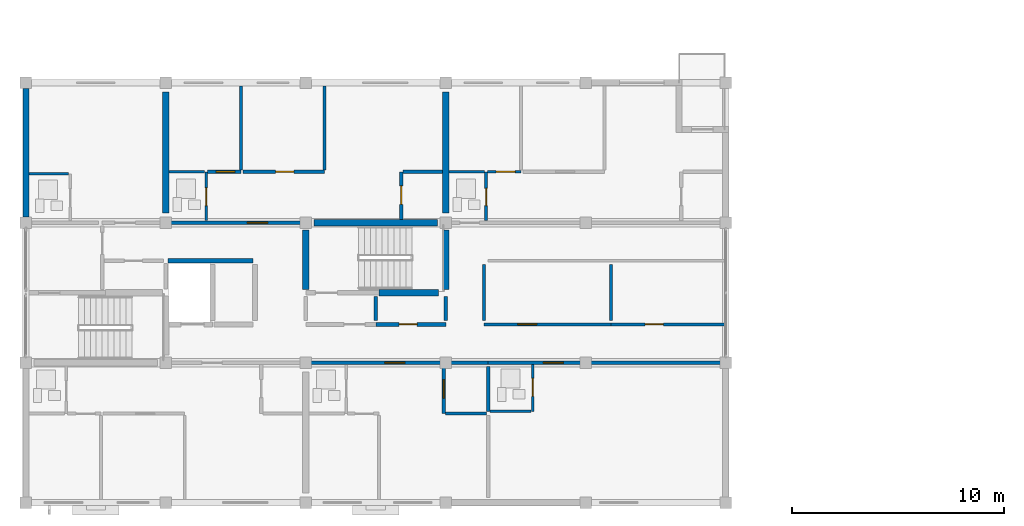
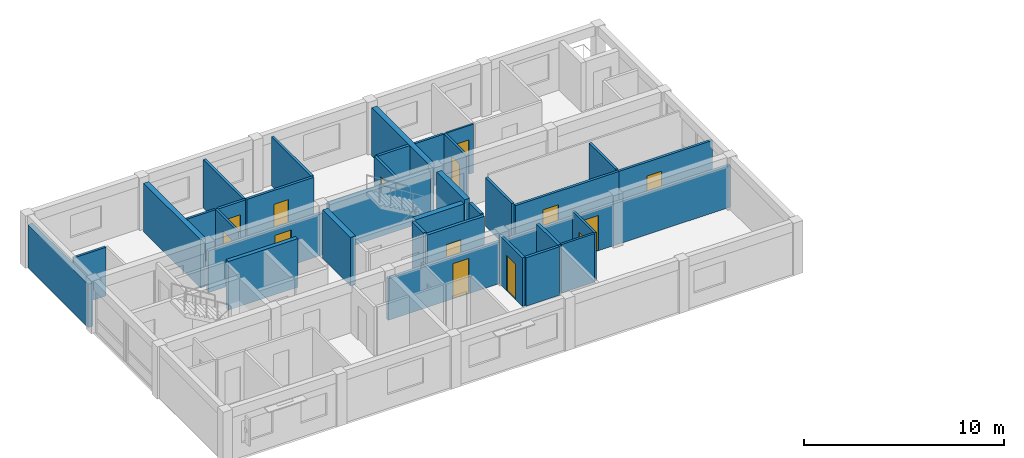
# One storey, part 32 of 49: 35 walls, 14 doors, 14 openings.
"""IFC4 building model written with IfcOpenShell, lengths in metres."""

from ifc_helpers import new_model, si_unit, direction, frame, frame_2d, origin, place, context, subcontext, project, spatial, rectangle, extrude, material, layer, layer_set, type_object, element, fill, save


model = new_model("IFC4")

# Units and contexts
model_context = context("Model", 3, precision=1e-05, world=origin(), true_north=direction((0.0, 1.0)))
body_context = subcontext(model_context, "Body", "Model", "MODEL_VIEW")
ifc_project = project(units=[si_unit("LENGTHUNIT", "METRE"), si_unit("AREAUNIT", "SQUARE_METRE"), si_unit("VOLUMEUNIT", "CUBIC_METRE"), si_unit("PLANEANGLEUNIT", "RADIAN"), si_unit("MASSUNIT", "GRAM", prefix="KILO")], contexts=[model_context])

# Site, building, storey
site_placement = place(None, origin())
site = spatial("IfcSite", under=ifc_project, at=site_placement, CompositionType="ELEMENT")
building_placement = place(site_placement, origin())
building = spatial("IfcBuilding", under=site, at=building_placement, Name="Kernevlak Ridge Housing Community", CompositionType="ELEMENT")
storey_placement = place(building_placement, frame((0.0, 0.0, 30.800048828125)))
storey = spatial("IfcBuildingStorey", under=building, at=storey_placement, Name="L09", CompositionType="ELEMENT", Elevation=30.800048828125)

# Walls
ifc_material_1 = material(Name="Concrete block masonry M10", Category="masonry")
ifc_layer_1 = layer(ifc_material_1, 0.280029296875, Name="Concrete block masonry M10")
ifc_layer_set_1 = layer_set([ifc_layer_1], Name="Concrete block masonry M10")
wall_type_1 = type_object("IfcWallType", Name="EW-03", PredefinedType="STANDARD", material=ifc_layer_set_1)
wall_1_placement = place(storey_placement, frame((15.60009765625, 89.47509765625, 0.0), z_axis=(0.0, 0.0, 1.0), x_axis=(0.0, 1.0, 0.0)))
element("IfcWall", 1, at=wall_1_placement, inside=storey, type_object=wall_type_1, Name="Exterior wall EW-03 L09 154", PredefinedType="STANDARD", context=body_context, shape_type="SweptSolid", body=[
    extrude(rectangle(XDim=6.0498046875, YDim=0.280029296875, at=frame_2d((3.02490234375, 0.0))), origin(), (0.0, 0.0, 1.0), 2.64990234375),
])
ifc_material_2 = material(Name="Concrete C35/45", Category="concrete")
ifc_layer_2 = layer(ifc_material_2, 0.22509765625, Name="Concrete C35/45")
ifc_layer_set_2 = layer_set([ifc_layer_2], Name="Concrete C35/45")
wall_type_2 = type_object("IfcWallType", Name="PW-01", PredefinedType="STANDARD", material=ifc_layer_set_2)
wall_2_placement = place(storey_placement, frame((22.297607421875, 87.39990234375, 0.0), z_axis=(0.0, 0.0, 1.0), x_axis=(1.0, 0.0, 0.0)))
element("IfcWall", 2, at=wall_2_placement, inside=storey, type_object=wall_type_2, Name="Interior wall PW-01 WAL-INT-L09-0573", PredefinedType="STANDARD", context=body_context, shape_type="SweptSolid", body=[
    extrude(rectangle(XDim=4.0224609375, YDim=0.22509765625, at=frame_2d((2.01123046875, 0.0))), origin(), (0.0, 0.0, 1.0), 2.969970703125),
])

# Wall, opening, door
ifc_layer_3 = layer(ifc_material_1, 0.175048828125, Name="Concrete block masonry M10")
ifc_layer_set_3 = layer_set([ifc_layer_3], Name="Concrete block masonry M10")
wall_type_3 = type_object("IfcWallType", Name="PW-02", PredefinedType="PARTITIONING", material=ifc_layer_set_3)
wall_3_placement = place(storey_placement, frame((32.10009765625, 84.39990234375, 0.0), z_axis=(0.0, 0.0, 1.0), x_axis=(1.0, 0.0, 0.0)))
wall_3 = element("IfcWall", 3, at=wall_3_placement, inside=storey, type_object=wall_type_3, Name="Interior wall PW-02 WAL-INT-L09-0579", PredefinedType="PARTITIONING", context=body_context, shape_type="SweptSolid", body=[
    extrude(rectangle(XDim=3.2998046875, YDim=0.175048828125, at=frame_2d((1.64990234375, 0.0))), origin(), (0.0, 0.0, 1.0), 2.969970703125),
])
opening_1_placement = place(wall_3_placement, frame((1.10009765625, 0.0, 0.0)))
opening_1 = element("IfcOpeningElement", 4, at=opening_1_placement, cuts=wall_3, Name="Opening D292", PredefinedType="OPENING", context=body_context, shape_type="SweptSolid", body=[
    extrude(rectangle(XDim=0.85009765625, YDim=2.0, at=frame_2d((0.425048828125, 1.0))), frame((0.0, 0.097412109375, 0.0), z_axis=(0.0, -1.0, 0.0), x_axis=(1.0, 0.0, 0.0)), (0.0, 0.0, 1.0), 0.195068359375),
])
ifc_material_3 = material(Name="Fire-rated sheet steel leaf", Category="steel")
door_type_1 = type_object("IfcDoorType", Name="DT-07", OperationType="NOTDEFINED", PredefinedType="DOOR", material=ifc_material_3)
door_1_placement = place(opening_1_placement, origin())
door_1 = element("IfcDoor", 5, at=door_1_placement, inside=storey, type_object=door_type_1, Name="Block A Cleaner store door D292", OperationType="SINGLE_SWING_RIGHT", OverallHeight=2.0, OverallWidth=0.85009765625, PredefinedType="DOOR", context=body_context, shape_type="SweptSolid", body=[
    extrude(rectangle(XDim=0.85009765625, YDim=2.0, at=frame_2d((0.425048828125, 1.0))), frame((0.0, 0.02490234375, 0.0), z_axis=(0.0, -1.0, 0.0), x_axis=(1.0, 0.0, 0.0)), (0.0, 0.0, 1.0), 0.050048828125),
])
fill(opening_1, door_1)

# Walls
for number, where, z_axis, x_axis, name in (
    (6, (32.10009765625, 84.580078125, 0.0), (0.0, 0.0, 1.0), (0.0, 1.0, 0.0), "Interior wall PW-02 WAL-INT-L09-0581"),
    (7, (35.39990234375, 84.580078125, 0.0), (0.0, 0.0, 1.0), (0.0, 1.0, 0.0), "Interior wall PW-02 WAL-INT-L09-0582"),
):
    element("IfcWall", number, at=place(storey_placement, frame(where, z_axis=z_axis, x_axis=x_axis)), inside=storey, type_object=wall_type_3, Name=name, PredefinedType="PARTITIONING", context=body_context, shape_type="SweptSolid", body=[
        extrude(rectangle(XDim=1.139892578125, YDim=0.175048828125, at=frame_2d((0.56982421875, 0.0))), origin(), (0.0, 0.0, 1.0), 2.969970703125),
    ])

# Wall, opening, door
wall_4_placement = place(storey_placement, frame((28.800048828125, 82.60009765625, 0.0), z_axis=(0.0, 0.0, 1.0), x_axis=(1.0, 0.0, 0.0)))
wall_4 = element("IfcWall", 8, at=wall_4_placement, inside=storey, type_object=wall_type_3, Name="Interior wall PW-02 WAL-INT-L09-0597", PredefinedType="PARTITIONING", context=body_context, shape_type="SweptSolid", body=[
    extrude(rectangle(XDim=8.599853515625, YDim=0.175048828125, at=frame_2d((4.2998046875, 0.0))), origin(), (0.0, 0.0, 1.0), 2.550048828125),
])
opening_2_placement = place(wall_4_placement, frame((3.72509765625, 0.0, 0.0)))
opening_2 = element("IfcOpeningElement", 9, at=opening_2_placement, cuts=wall_4, Name="Opening D300", PredefinedType="OPENING", context=body_context, shape_type="SweptSolid", body=[
    extrude(rectangle(XDim=0.949951171875, YDim=2.159912109375, at=frame_2d((0.47509765625, 1.080078125))), frame((0.0, 0.097412109375, 0.0), z_axis=(0.0, -1.0, 0.0), x_axis=(1.0, 0.0, 0.0)), (0.0, 0.0, 1.0), 0.195068359375),
])
ifc_material_4 = material(Name="Hardwood timber solid-core fire leaf", Category="wood")
door_type_2 = type_object("IfcDoorType", Name="DT-02", OperationType="NOTDEFINED", PredefinedType="DOOR", material=ifc_material_4)
door_2_placement = place(opening_2_placement, origin())
door_2 = element("IfcDoor", 10, at=door_2_placement, inside=storey, type_object=door_type_2, Name="Flat A0912 entrance fire door D300", OperationType="SINGLE_SWING_RIGHT", OverallHeight=2.159912109375, OverallWidth=0.949951171875, PredefinedType="DOOR", context=body_context, shape_type="SweptSolid", body=[
    extrude(rectangle(XDim=0.949951171875, YDim=2.159912109375, at=frame_2d((0.47509765625, 1.080078125))), frame((0.0, 0.02490234375, 0.0), z_axis=(0.0, -1.0, 0.0), x_axis=(1.0, 0.0, 0.0)), (0.0, 0.0, 1.0), 0.050048828125),
])
fill(opening_2, door_2)

# Wall
wall_5_placement = place(storey_placement, frame((37.39990234375, 82.419921875, 0.0), z_axis=(0.0, 0.0, 1.0), x_axis=(0.0, -1.0, 0.0)))
element("IfcWall", 11, at=wall_5_placement, inside=storey, type_object=wall_type_3, Name="Interior wall PW-02 WAL-INT-L09-0604", PredefinedType="PARTITIONING", context=body_context, shape_type="SweptSolid", body=[
    extrude(rectangle(XDim=2.13232421875, YDim=0.175048828125, at=frame_2d((1.066162109375, 0.0))), origin(), (0.0, 0.0, 1.0), 2.969970703125),
])

# Wall, opening, door
wall_6_placement = place(storey_placement, frame((37.39990234375, 82.60009765625, 0.0), z_axis=(0.0, 0.0, 1.0), x_axis=(1.0, 0.0, 0.0)))
wall_6 = element("IfcWall", 12, at=wall_6_placement, inside=storey, type_object=wall_type_3, Name="Interior wall PW-02 WAL-INT-L09-0605", PredefinedType="PARTITIONING", context=body_context, shape_type="SweptSolid", body=[
    extrude(rectangle(XDim=11.2001953125, YDim=0.175048828125, at=frame_2d((5.60009765625, 0.0))), origin(), (0.0, 0.0, 1.0), 2.550048828125),
])
opening_3_placement = place(wall_6_placement, frame((2.60009765625, 0.0, 0.0)))
opening_3 = element("IfcOpeningElement", 13, at=opening_3_placement, cuts=wall_6, Name="Opening D304", PredefinedType="OPENING", context=body_context, shape_type="SweptSolid", body=[
    extrude(rectangle(XDim=0.949951171875, YDim=2.159912109375, at=frame_2d((0.47509765625, 1.080078125))), frame((0.0, 0.097412109375, 0.0), z_axis=(0.0, -1.0, 0.0), x_axis=(1.0, 0.0, 0.0)), (0.0, 0.0, 1.0), 0.195068359375),
])
door_3_placement = place(opening_3_placement, origin())
door_3 = element("IfcDoor", 14, at=door_3_placement, inside=storey, type_object=door_type_2, Name="Flat A0913 entrance fire door D304", OperationType="SINGLE_SWING_RIGHT", OverallHeight=2.159912109375, OverallWidth=0.949951171875, PredefinedType="DOOR", context=body_context, shape_type="SweptSolid", body=[
    extrude(rectangle(XDim=0.949951171875, YDim=2.159912109375, at=frame_2d((0.47509765625, 1.080078125))), frame((0.0, 0.02490234375, 0.0), z_axis=(0.0, -1.0, 0.0), x_axis=(1.0, 0.0, 0.0)), (0.0, 0.0, 1.0), 0.050048828125),
])
fill(opening_3, door_3)

wall_7_placement = place(storey_placement, frame((22.199951171875, 89.199951171875, 0.0), z_axis=(0.0, 0.0, 1.0), x_axis=(1.0, 0.0, 0.0)))
wall_7 = element("IfcWall", 15, at=wall_7_placement, inside=storey, type_object=wall_type_3, Name="Interior wall PW-02 WAL-INT-L09-0612", PredefinedType="PARTITIONING", context=body_context, shape_type="SweptSolid", body=[
    extrude(rectangle(XDim=6.60009765625, YDim=0.175048828125, at=frame_2d((3.300048828125, 0.0))), origin(), (0.0, 0.0, 1.0), 2.550048828125),
])
opening_4_placement = place(wall_7_placement, frame((3.85009765625, 0.0, 0.0)))
opening_4 = element("IfcOpeningElement", 16, at=opening_4_placement, cuts=wall_7, Name="Opening D308", PredefinedType="OPENING", context=body_context, shape_type="SweptSolid", body=[
    extrude(rectangle(XDim=0.949951171875, YDim=2.159912109375, at=frame_2d((0.47509765625, 1.080078125))), frame((0.0, 0.097412109375, 0.0), z_axis=(0.0, -1.0, 0.0), x_axis=(1.0, 0.0, 0.0)), (0.0, 0.0, 1.0), 0.195068359375),
])
door_4_placement = place(opening_4_placement, origin())
door_4 = element("IfcDoor", 17, at=door_4_placement, inside=storey, type_object=door_type_2, Name="Flat A0922 entrance fire door D308", OperationType="SINGLE_SWING_RIGHT", OverallHeight=2.159912109375, OverallWidth=0.949951171875, PredefinedType="DOOR", context=body_context, shape_type="SweptSolid", body=[
    extrude(rectangle(XDim=0.949951171875, YDim=2.159912109375, at=frame_2d((0.47509765625, 1.080078125))), frame((0.0, 0.02490234375, 0.0), z_axis=(0.0, -1.0, 0.0), x_axis=(1.0, 0.0, 0.0)), (0.0, 0.0, 1.0), 0.050048828125),
])
fill(opening_4, door_4)

ifc_layer_4 = layer(ifc_material_1, 0.14501953125, Name="Concrete block masonry M10")
ifc_layer_set_4 = layer_set([ifc_layer_4], Name="Concrete block masonry M10")
wall_type_4 = type_object("IfcWallType", Name="PW-03", PredefinedType="PARTITIONING", material=ifc_layer_set_4)
wall_8_placement = place(storey_placement, frame((37.199951171875, 84.39990234375, 0.0), z_axis=(0.0, 0.0, 1.0), x_axis=(1.0, 0.0, 0.0)))
wall_8 = element("IfcWall", 18, at=wall_8_placement, inside=storey, type_object=wall_type_4, Name="Interior wall PW-03 WAL-INT-L09-0583", PredefinedType="PARTITIONING", context=body_context, shape_type="SweptSolid", body=[
    extrude(rectangle(XDim=6.0, YDim=0.14501953125, at=frame_2d((3.0, 0.0))), origin(), (0.0, 0.0, 1.0), 2.969970703125),
])
opening_5_placement = place(wall_8_placement, frame((1.60009765625, 0.0, 0.0)))
opening_5 = element("IfcOpeningElement", 19, at=opening_5_placement, cuts=wall_8, Name="Opening D293", PredefinedType="OPENING", context=body_context, shape_type="SweptSolid", body=[
    extrude(rectangle(XDim=0.8798828125, YDim=2.159912109375, at=frame_2d((0.43994140625, 1.080078125))), frame((0.0, 0.08251953125, 0.0), z_axis=(0.0, -1.0, 0.0), x_axis=(1.0, 0.0, 0.0)), (0.0, 0.0, 1.0), 0.1650390625),
])
ifc_material_5 = material(Name="Hardwood timber leaf", Category="wood")
door_type_3 = type_object("IfcDoorType", Name="DT-26", OperationType="NOTDEFINED", PredefinedType="DOOR", material=ifc_material_5)
door_5_placement = place(opening_5_placement, origin())
door_5 = element("IfcDoor", 20, at=door_5_placement, inside=storey, type_object=door_type_3, Name="Block A Laundry room door D293", OperationType="SINGLE_SWING_LEFT", OverallHeight=2.159912109375, OverallWidth=0.8798828125, PredefinedType="DOOR", context=body_context, shape_type="SweptSolid", body=[
    extrude(rectangle(XDim=0.8798828125, YDim=2.159912109375, at=frame_2d((0.43994140625, 1.080078125))), frame((0.0, 0.02490234375, 0.0), z_axis=(0.0, -1.0, 0.0), x_axis=(1.0, 0.0, 0.0)), (0.0, 0.0, 1.0), 0.050048828125),
])
fill(opening_5, door_5)

wall_9_placement = place(storey_placement, frame((43.199951171875, 84.39990234375, 0.0), z_axis=(0.0, 0.0, 1.0), x_axis=(1.0, 0.0, 0.0)))
wall_9 = element("IfcWall", 21, at=wall_9_placement, inside=storey, type_object=wall_type_4, Name="Interior wall PW-03 WAL-INT-L09-0584", PredefinedType="PARTITIONING", context=body_context, shape_type="SweptSolid", body=[
    extrude(rectangle(XDim=5.400146484375, YDim=0.14501953125, at=frame_2d((2.7001953125, 0.0))), origin(), (0.0, 0.0, 1.0), 2.969970703125),
])
opening_6_placement = place(wall_9_placement, frame((1.60009765625, 0.0, 0.0)))
opening_6 = element("IfcOpeningElement", 22, at=opening_6_placement, cuts=wall_9, Name="Opening D294", PredefinedType="OPENING", context=body_context, shape_type="SweptSolid", body=[
    extrude(rectangle(XDim=0.860107421875, YDim=2.1201171875, at=frame_2d((0.43017578125, 1.06005859375))), frame((0.0, 0.08251953125, 0.0), z_axis=(0.0, -1.0, 0.0), x_axis=(1.0, 0.0, 0.0)), (0.0, 0.0, 1.0), 0.1650390625),
])
door_type_4 = type_object("IfcDoorType", Name="DT-28", OperationType="NOTDEFINED", PredefinedType="DOOR", material=ifc_material_5)
door_6_placement = place(opening_6_placement, origin())
door_6 = element("IfcDoor", 23, at=door_6_placement, inside=storey, type_object=door_type_4, Name="Block A Study room door D294", OperationType="SINGLE_SWING_RIGHT", OverallHeight=2.1201171875, OverallWidth=0.860107421875, PredefinedType="DOOR", context=body_context, shape_type="SweptSolid", body=[
    extrude(rectangle(XDim=0.860107421875, YDim=2.1201171875, at=frame_2d((0.43017578125, 1.06005859375))), frame((0.0, 0.02490234375, 0.0), z_axis=(0.0, -1.0, 0.0), x_axis=(1.0, 0.0, 0.0)), (0.0, 0.0, 1.0), 0.050048828125),
])
fill(opening_6, door_6)

# Walls
for number, where, z_axis, x_axis, name in (
    (24, (43.199951171875, 84.580078125, 0.0), (0.0, 0.0, 1.0), (0.0, 1.0, 0.0), "Interior wall PW-03 WAL-INT-L09-0585"),
    (25, (37.199951171875, 84.580078125, 0.0), (0.0, 0.0, 1.0), (0.0, 1.0, 0.0), "Interior wall PW-03 WAL-INT-L09-0587"),
):
    element("IfcWall", number, at=place(storey_placement, frame(where, z_axis=z_axis, x_axis=x_axis)), inside=storey, type_object=wall_type_4, Name=name, PredefinedType="PARTITIONING", context=body_context, shape_type="SweptSolid", body=[
        extrude(rectangle(XDim=2.639892578125, YDim=0.14501953125, at=frame_2d((1.31982421875, 0.0))), origin(), (0.0, 0.0, 1.0), 2.969970703125),
    ])

# Wall, opening, door
wall_10_placement = place(storey_placement, frame((24.172607421875, 91.60009765625, 0.0), z_axis=(0.0, 0.0, 1.0), x_axis=(1.0, 0.0, 0.0)))
wall_10 = element("IfcWall", 26, at=wall_10_placement, inside=storey, type_object=wall_type_4, Name="Interior wall PW-03 WAL-INT-L09-0617", PredefinedType="PARTITIONING", context=body_context, shape_type="SweptSolid", body=[
    extrude(rectangle(XDim=1.577392578125, YDim=0.14501953125, at=frame_2d((0.78857421875, 0.0))), origin(), (0.0, 0.0, 1.0), 2.969970703125),
])
opening_7_placement = place(wall_10_placement, frame((0.39990234375, 0.0, 0.0)))
opening_7 = element("IfcOpeningElement", 27, at=opening_7_placement, cuts=wall_10, Name="Opening D311", PredefinedType="OPENING", context=body_context, shape_type="SweptSolid", body=[
    extrude(rectangle(XDim=0.8798828125, YDim=2.159912109375, at=frame_2d((0.43994140625, 1.080078125))), frame((0.0, 0.08251953125, 0.0), z_axis=(0.0, -1.0, 0.0), x_axis=(1.0, 0.0, 0.0)), (0.0, 0.0, 1.0), 0.1650390625),
])
door_7_placement = place(opening_7_placement, origin())
door_7 = element("IfcDoor", 28, at=door_7_placement, inside=storey, type_object=door_type_3, Name="Flat A0922 bedroom door D311", OperationType="SINGLE_SWING_LEFT", OverallHeight=2.159912109375, OverallWidth=0.8798828125, PredefinedType="DOOR", context=body_context, shape_type="SweptSolid", body=[
    extrude(rectangle(XDim=0.8798828125, YDim=2.159912109375, at=frame_2d((0.43994140625, 1.080078125))), frame((0.0, 0.02490234375, 0.0), z_axis=(0.0, -1.0, 0.0), x_axis=(1.0, 0.0, 0.0)), (0.0, 0.0, 1.0), 0.050048828125),
])
fill(opening_7, door_7)

# Wall
wall_11_placement = place(storey_placement, frame((25.75, 91.6826171875, 0.0), z_axis=(0.0, 0.0, 1.0), x_axis=(0.0, 1.0, 0.0)))
element("IfcWall", 29, at=wall_11_placement, inside=storey, type_object=wall_type_4, Name="Interior wall PW-03 WAL-INT-L09-0618", PredefinedType="PARTITIONING", context=body_context, shape_type="SweptSolid", body=[
    extrude(rectangle(XDim=3.96728515625, YDim=0.14501953125, at=frame_2d((1.983642578125, 0.0))), origin(), (0.0, 0.0, 1.0), 2.969970703125),
])

# Wall, opening, door
wall_12_placement = place(storey_placement, frame((25.83251953125, 91.60009765625, 0.0), z_axis=(0.0, 0.0, 1.0), x_axis=(1.0, 0.0, 0.0)))
wall_12 = element("IfcWall", 30, at=wall_12_placement, inside=storey, type_object=wall_type_4, Name="Interior wall PW-03 WAL-INT-L09-0619", PredefinedType="PARTITIONING", context=body_context, shape_type="SweptSolid", body=[
    extrude(rectangle(XDim=3.859375, YDim=0.14501953125, at=frame_2d((1.9296875, 0.0))), origin(), (0.0, 0.0, 1.0), 2.969970703125),
])
opening_8_placement = place(wall_12_placement, frame((1.5458984375, 0.0, 0.0)))
opening_8 = element("IfcOpeningElement", 31, at=opening_8_placement, cuts=wall_12, Name="Opening D312", PredefinedType="OPENING", context=body_context, shape_type="SweptSolid", body=[
    extrude(rectangle(XDim=0.860107421875, YDim=2.1201171875, at=frame_2d((0.43017578125, 1.06005859375))), frame((0.0, 0.08251953125, 0.0), z_axis=(0.0, -1.0, 0.0), x_axis=(1.0, 0.0, 0.0)), (0.0, 0.0, 1.0), 0.1650390625),
])
door_8_placement = place(opening_8_placement, origin())
door_8 = element("IfcDoor", 32, at=door_8_placement, inside=storey, type_object=door_type_4, Name="Flat A0922 bedroom door D312", OperationType="SINGLE_SWING_RIGHT", OverallHeight=2.1201171875, OverallWidth=0.860107421875, PredefinedType="DOOR", context=body_context, shape_type="SweptSolid", body=[
    extrude(rectangle(XDim=0.860107421875, YDim=2.1201171875, at=frame_2d((0.43017578125, 1.06005859375))), frame((0.0, 0.02490234375, 0.0), z_axis=(0.0, -1.0, 0.0), x_axis=(1.0, 0.0, 0.0)), (0.0, 0.0, 1.0), 0.050048828125),
])
fill(opening_8, door_8)

# Wall
wall_13_placement = place(storey_placement, frame((29.69189453125, 91.6826171875, 0.0), z_axis=(0.0, 0.0, 1.0), x_axis=(0.0, 1.0, 0.0)))
element("IfcWall", 33, at=wall_13_placement, inside=storey, type_object=wall_type_4, Name="Interior wall PW-03 WAL-INT-L09-0620", PredefinedType="PARTITIONING", context=body_context, shape_type="SweptSolid", body=[
    extrude(rectangle(XDim=3.96728515625, YDim=0.14501953125, at=frame_2d((1.983642578125, 0.0))), origin(), (0.0, 0.0, 1.0), 2.969970703125),
])

# Wall, opening, door
ifc_material_6 = material(Name="Gypsum plasterboard EN 520", Category="gypsum")
ifc_layer_5 = layer(ifc_material_6, 0.125, Name="Gypsum plasterboard EN 520")
ifc_layer_set_5 = layer_set([ifc_layer_5], Name="Gypsum plasterboard EN 520")
wall_type_5 = type_object("IfcWallType", Name="PW-04", PredefinedType="PARTITIONING", material=ifc_layer_set_5)
wall_14_placement = place(storey_placement, frame((39.5, 82.50244140625, 0.0), z_axis=(0.0, 0.0, 1.0), x_axis=(0.0, -1.0, 0.0)))
wall_14 = element("IfcWall", 34, at=wall_14_placement, inside=storey, type_object=wall_type_5, Name="Interior wall PW-04 WAL-INT-L09-0606", PredefinedType="PARTITIONING", context=body_context, shape_type="SweptSolid", body=[
    extrude(rectangle(XDim=2.202392578125, YDim=0.125, at=frame_2d((1.10107421875, 0.0))), origin(), (0.0, 0.0, 1.0), 2.969970703125),
])
opening_9_placement = place(wall_14_placement, frame((0.64990234375, 0.0, 0.0)))
opening_9 = element("IfcOpeningElement", 35, at=opening_9_placement, cuts=wall_14, Name="Opening D305", PredefinedType="OPENING", context=body_context, shape_type="SweptSolid", body=[
    extrude(rectangle(XDim=0.840087890625, YDim=2.06005859375, at=frame_2d((0.419921875, 1.030029296875))), frame((0.0, 0.072509765625, 0.0), z_axis=(0.0, -1.0, 0.0), x_axis=(1.0, 0.0, 0.0)), (0.0, 0.0, 1.0), 0.14501953125),
])
ifc_material_7 = material(Name="Hardwood timber moisture-resistant leaf", Category="wood")
door_type_5 = type_object("IfcDoorType", Name="DT-27", OperationType="NOTDEFINED", PredefinedType="DOOR", material=ifc_material_7)
door_9_placement = place(opening_9_placement, origin())
door_9 = element("IfcDoor", 36, at=door_9_placement, inside=storey, type_object=door_type_5, Name="Flat A0913 bathroom door D305", OperationType="SINGLE_SWING_LEFT", OverallHeight=2.06005859375, OverallWidth=0.840087890625, PredefinedType="DOOR", context=body_context, shape_type="SweptSolid", body=[
    extrude(rectangle(XDim=0.840087890625, YDim=2.06005859375, at=frame_2d((0.419921875, 1.030029296875))), frame((0.0, 0.02490234375, 0.0), z_axis=(0.0, -1.0, 0.0), x_axis=(1.0, 0.0, 0.0)), (0.0, 0.0, 1.0), 0.050048828125),
])
fill(opening_9, door_9)

# Walls
wall_15_placement = place(storey_placement, frame((37.49755859375, 80.300048828125, 0.0), z_axis=(0.0, 0.0, 1.0), x_axis=(1.0, 0.0, 0.0)))
element("IfcWall", 37, at=wall_15_placement, inside=storey, type_object=wall_type_5, Name="Interior wall PW-04 WAL-INT-L09-0607", PredefinedType="PARTITIONING", context=body_context, shape_type="SweptSolid", body=[
    extrude(rectangle(XDim=1.92236328125, YDim=0.125, at=frame_2d((0.961181640625, 0.0))), origin(), (0.0, 0.0, 1.0), 2.969970703125),
])
wall_16_placement = place(storey_placement, frame((15.75, 91.5, 0.0), z_axis=(0.0, 0.0, 1.0), x_axis=(1.0, 0.0, 0.0)))
element("IfcWall", 38, at=wall_16_placement, inside=storey, type_object=wall_type_5, Name="Interior wall PW-04 WAL-INT-L09-0611", PredefinedType="PARTITIONING", context=body_context, shape_type="SweptSolid", body=[
    extrude(rectangle(XDim=1.8701171875, YDim=0.125, at=frame_2d((0.93505859375, 0.0))), origin(), (0.0, 0.0, 1.0), 2.969970703125),
])

# Wall, opening, door
wall_17_placement = place(storey_placement, frame((24.10009765625, 89.297607421875, 0.0), z_axis=(0.0, 0.0, 1.0), x_axis=(0.0, 1.0, 0.0)))
wall_17 = element("IfcWall", 39, at=wall_17_placement, inside=storey, type_object=wall_type_5, Name="Interior wall PW-04 WAL-INT-L09-0613", PredefinedType="PARTITIONING", context=body_context, shape_type="SweptSolid", body=[
    extrude(rectangle(XDim=2.302490234375, YDim=0.125, at=frame_2d((1.1513671875, 0.0))), origin(), (0.0, 0.0, 1.0), 2.969970703125),
])
opening_10_placement = place(wall_17_placement, frame((0.699951171875, 0.0, 0.0)))
opening_10 = element("IfcOpeningElement", 40, at=opening_10_placement, cuts=wall_17, Name="Opening D309", PredefinedType="OPENING", context=body_context, shape_type="SweptSolid", body=[
    extrude(rectangle(XDim=0.840087890625, YDim=2.06005859375, at=frame_2d((0.419921875, 1.030029296875))), frame((0.0, 0.072509765625, 0.0), z_axis=(0.0, -1.0, 0.0), x_axis=(1.0, 0.0, 0.0)), (0.0, 0.0, 1.0), 0.14501953125),
])
door_10_placement = place(opening_10_placement, origin())
door_10 = element("IfcDoor", 41, at=door_10_placement, inside=storey, type_object=door_type_5, Name="Flat A0922 bathroom door D309", OperationType="SINGLE_SWING_LEFT", OverallHeight=2.06005859375, OverallWidth=0.840087890625, PredefinedType="DOOR", context=body_context, shape_type="SweptSolid", body=[
    extrude(rectangle(XDim=0.840087890625, YDim=2.06005859375, at=frame_2d((0.419921875, 1.030029296875))), frame((0.0, 0.02490234375, 0.0), z_axis=(0.0, -1.0, 0.0), x_axis=(1.0, 0.0, 0.0)), (0.0, 0.0, 1.0), 0.050048828125),
])
fill(opening_10, door_10)

# Wall
wall_18_placement = place(storey_placement, frame((22.360107421875, 91.60009765625, 0.0), z_axis=(0.0, 0.0, 1.0), x_axis=(1.0, 0.0, 0.0)))
element("IfcWall", 42, at=wall_18_placement, inside=storey, type_object=wall_type_5, Name="Interior wall PW-04 WAL-INT-L09-0614", PredefinedType="PARTITIONING", context=body_context, shape_type="SweptSolid", body=[
    extrude(rectangle(XDim=1.659912109375, YDim=0.125, at=frame_2d((0.830078125, 0.0))), origin(), (0.0, 0.0, 1.0), 2.969970703125),
])

# Wall, opening, door
wall_19_placement = place(storey_placement, frame((37.300048828125, 89.297607421875, 0.0), z_axis=(0.0, 0.0, 1.0), x_axis=(0.0, 1.0, 0.0)))
wall_19 = element("IfcWall", 43, at=wall_19_placement, inside=storey, type_object=wall_type_5, Name="Interior wall PW-04 WAL-INT-L09-0622", PredefinedType="PARTITIONING", context=body_context, shape_type="SweptSolid", body=[
    extrude(rectangle(XDim=2.302490234375, YDim=0.125, at=frame_2d((1.1513671875, 0.0))), origin(), (0.0, 0.0, 1.0), 2.969970703125),
])
opening_11_placement = place(wall_19_placement, frame((0.699951171875, 0.0, 0.0)))
opening_11 = element("IfcOpeningElement", 44, at=opening_11_placement, cuts=wall_19, Name="Opening D314", PredefinedType="OPENING", context=body_context, shape_type="SweptSolid", body=[
    extrude(rectangle(XDim=0.820068359375, YDim=2.050048828125, at=frame_2d((0.41015625, 1.02490234375))), frame((0.0, 0.072509765625, 0.0), z_axis=(0.0, -1.0, 0.0), x_axis=(1.0, 0.0, 0.0)), (0.0, 0.0, 1.0), 0.14501953125),
])
door_type_6 = type_object("IfcDoorType", Name="DT-30", OperationType="NOTDEFINED", PredefinedType="DOOR", material=ifc_material_7)
door_11_placement = place(opening_11_placement, origin())
door_11 = element("IfcDoor", 45, at=door_11_placement, inside=storey, type_object=door_type_6, Name="Flat A0923 bathroom door D314", OperationType="SINGLE_SWING_RIGHT", OverallHeight=2.050048828125, OverallWidth=0.820068359375, PredefinedType="DOOR", context=body_context, shape_type="SweptSolid", body=[
    extrude(rectangle(XDim=0.820068359375, YDim=2.050048828125, at=frame_2d((0.41015625, 1.02490234375))), frame((0.0, 0.02490234375, 0.0), z_axis=(0.0, -1.0, 0.0), x_axis=(1.0, 0.0, 0.0)), (0.0, 0.0, 1.0), 0.050048828125),
])
fill(opening_11, door_11)

# Wall
wall_20_placement = place(storey_placement, frame((35.56005859375, 91.60009765625, 0.0), z_axis=(0.0, 0.0, 1.0), x_axis=(1.0, 0.0, 0.0)))
element("IfcWall", 46, at=wall_20_placement, inside=storey, type_object=wall_type_5, Name="Interior wall PW-04 WAL-INT-L09-0623", PredefinedType="PARTITIONING", context=body_context, shape_type="SweptSolid", body=[
    extrude(rectangle(XDim=1.659912109375, YDim=0.125, at=frame_2d((0.830078125, 0.0))), origin(), (0.0, 0.0, 1.0), 2.969970703125),
])

# Wall, opening, door
ifc_layer_6 = layer(ifc_material_6, 0.155029296875, Name="Gypsum plasterboard EN 520")
ifc_layer_set_6 = layer_set([ifc_layer_6], Name="Gypsum plasterboard EN 520")
wall_type_6 = type_object("IfcWallType", Name="PW-05", PredefinedType="PARTITIONING", material=ifc_layer_set_6)
wall_21_placement = place(storey_placement, frame((35.300048828125, 82.50244140625, 0.0), z_axis=(0.0, 0.0, 1.0), x_axis=(0.0, -1.0, 0.0)))
wall_21 = element("IfcWall", 47, at=wall_21_placement, inside=storey, type_object=wall_type_6, Name="Interior wall PW-05 WAL-INT-L09-0600", PredefinedType="PARTITIONING", context=body_context, shape_type="SweptSolid", body=[
    extrude(rectangle(XDim=2.302490234375, YDim=0.155029296875, at=frame_2d((1.1513671875, 0.0))), origin(), (0.0, 0.0, 1.0), 2.969970703125),
])
opening_12_placement = place(wall_21_placement, frame((0.699951171875, 0.0, 0.0)))
opening_12 = element("IfcOpeningElement", 48, at=opening_12_placement, cuts=wall_21, Name="Opening D302", PredefinedType="OPENING", context=body_context, shape_type="SweptSolid", body=[
    extrude(rectangle(XDim=0.8798828125, YDim=2.159912109375, at=frame_2d((0.43994140625, 1.080078125))), frame((0.0, 0.08740234375, 0.0), z_axis=(0.0, -1.0, 0.0), x_axis=(1.0, 0.0, 0.0)), (0.0, 0.0, 1.0), 0.175048828125),
])
door_12_placement = place(opening_12_placement, origin())
door_12 = element("IfcDoor", 49, at=door_12_placement, inside=storey, type_object=door_type_3, Name="Flat A0912 kitchen door D302", OperationType="SINGLE_SWING_RIGHT", OverallHeight=2.159912109375, OverallWidth=0.8798828125, PredefinedType="DOOR", context=body_context, shape_type="SweptSolid", body=[
    extrude(rectangle(XDim=0.8798828125, YDim=2.159912109375, at=frame_2d((0.43994140625, 1.080078125))), frame((0.0, 0.02490234375, 0.0), z_axis=(0.0, -1.0, 0.0), x_axis=(1.0, 0.0, 0.0)), (0.0, 0.0, 1.0), 0.050048828125),
])
fill(opening_12, door_12)

# Wall
wall_22_placement = place(storey_placement, frame((35.387451171875, 80.199951171875, 0.0), z_axis=(0.0, 0.0, 1.0), x_axis=(1.0, 0.0, 0.0)))
element("IfcWall", 50, at=wall_22_placement, inside=storey, type_object=wall_type_6, Name="Interior wall PW-05 WAL-INT-L09-0601", PredefinedType="PARTITIONING", context=body_context, shape_type="SweptSolid", body=[
    extrude(rectangle(XDim=1.9326171875, YDim=0.155029296875, at=frame_2d((0.96630859375, 0.0))), origin(), (0.0, 0.0, 1.0), 2.969970703125),
])

# Wall, opening, door
wall_23_placement = place(storey_placement, frame((33.300048828125, 89.360107421875, 0.0), z_axis=(0.0, 0.0, 1.0), x_axis=(0.0, 1.0, 0.0)))
wall_23 = element("IfcWall", 51, at=wall_23_placement, inside=storey, type_object=wall_type_6, Name="Interior wall PW-05 WAL-INT-L09-0615", PredefinedType="PARTITIONING", context=body_context, shape_type="SweptSolid", body=[
    extrude(rectangle(XDim=2.239990234375, YDim=0.155029296875, at=frame_2d((1.1201171875, 0.0))), origin(), (0.0, 0.0, 1.0), 2.969970703125),
])
opening_13_placement = place(wall_23_placement, frame((0.699951171875, 0.0, 0.0)))
opening_13 = element("IfcOpeningElement", 52, at=opening_13_placement, cuts=wall_23, Name="Opening D310", PredefinedType="OPENING", context=body_context, shape_type="SweptSolid", body=[
    extrude(rectangle(XDim=0.8798828125, YDim=2.10009765625, at=frame_2d((0.43994140625, 1.050048828125))), frame((0.0, 0.08740234375, 0.0), z_axis=(0.0, -1.0, 0.0), x_axis=(1.0, 0.0, 0.0)), (0.0, 0.0, 1.0), 0.175048828125),
])
door_type_7 = type_object("IfcDoorType", Name="DT-25", OperationType="NOTDEFINED", PredefinedType="DOOR", material=ifc_material_5)
door_13_placement = place(opening_13_placement, origin())
door_13 = element("IfcDoor", 53, at=door_13_placement, inside=storey, type_object=door_type_7, Name="Flat A0922 kitchen door D310", OperationType="SINGLE_SWING_RIGHT", OverallHeight=2.10009765625, OverallWidth=0.8798828125, PredefinedType="DOOR", context=body_context, shape_type="SweptSolid", body=[
    extrude(rectangle(XDim=0.8798828125, YDim=2.10009765625, at=frame_2d((0.43994140625, 1.050048828125))), frame((0.0, 0.02490234375, 0.0), z_axis=(0.0, -1.0, 0.0), x_axis=(1.0, 0.0, 0.0)), (0.0, 0.0, 1.0), 0.050048828125),
])
fill(opening_13, door_13)

# Wall
wall_24_placement = place(storey_placement, frame((33.387451171875, 91.60009765625, 0.0), z_axis=(0.0, 0.0, 1.0), x_axis=(1.0, 0.0, 0.0)))
element("IfcWall", 54, at=wall_24_placement, inside=storey, type_object=wall_type_6, Name="Interior wall PW-05 WAL-INT-L09-0616", PredefinedType="PARTITIONING", context=body_context, shape_type="SweptSolid", body=[
    extrude(rectangle(XDim=1.8525390625, YDim=0.155029296875, at=frame_2d((0.92626953125, 0.0))), origin(), (0.0, 0.0, 1.0), 2.969970703125),
])

# Wall, opening, door
ifc_layer_7 = layer(ifc_material_6, 0.10498046875, Name="Gypsum plasterboard EN 520")
ifc_layer_set_7 = layer_set([ifc_layer_7], Name="Gypsum plasterboard EN 520")
wall_type_7 = type_object("IfcWallType", Name="PW-06", PredefinedType="PARTITIONING", material=ifc_layer_set_7)
wall_25_placement = place(storey_placement, frame((37.37255859375, 91.60009765625, 0.0), z_axis=(0.0, 0.0, 1.0), x_axis=(1.0, 0.0, 0.0)))
wall_25 = element("IfcWall", 55, at=wall_25_placement, inside=storey, type_object=wall_type_7, Name="Interior wall PW-06 WAL-INT-L09-0626", PredefinedType="PARTITIONING", context=body_context, shape_type="SweptSolid", body=[
    extrude(rectangle(XDim=1.577392578125, YDim=0.10498046875, at=frame_2d((0.78857421875, 0.0))), origin(), (0.0, 0.0, 1.0), 2.969970703125),
])
opening_14_placement = place(wall_25_placement, frame((0.39990234375, 0.0, 0.0)))
opening_14 = element("IfcOpeningElement", 56, at=opening_14_placement, cuts=wall_25, Name="Opening D316", PredefinedType="OPENING", context=body_context, shape_type="SweptSolid", body=[
    extrude(rectangle(XDim=0.89990234375, YDim=2.10009765625, at=frame_2d((0.449951171875, 1.050048828125))), frame((0.0, 0.0625, 0.0), z_axis=(0.0, -1.0, 0.0), x_axis=(1.0, 0.0, 0.0)), (0.0, 0.0, 1.0), 0.125),
])
door_type_8 = type_object("IfcDoorType", Name="DT-21", OperationType="NOTDEFINED", PredefinedType="DOOR", material=ifc_material_5)
door_14_placement = place(opening_14_placement, origin())
door_14 = element("IfcDoor", 57, at=door_14_placement, inside=storey, type_object=door_type_8, Name="Flat A0923 bedroom door D316", OperationType="SINGLE_SWING_RIGHT", OverallHeight=2.10009765625, OverallWidth=0.89990234375, PredefinedType="DOOR", context=body_context, shape_type="SweptSolid", body=[
    extrude(rectangle(XDim=0.89990234375, YDim=2.10009765625, at=frame_2d((0.449951171875, 1.050048828125))), frame((0.0, 0.02490234375, 0.0), z_axis=(0.0, -1.0, 0.0), x_axis=(1.0, 0.0, 0.0)), (0.0, 0.0, 1.0), 0.050048828125),
])
fill(opening_14, door_14)

# Walls
ifc_material_8 = material(Name="Concrete C40/50", Category="concrete")
ifc_layer_8 = layer(ifc_material_8, 0.300048828125, Name="Concrete C40/50")
ifc_layer_set_8 = layer_set([ifc_layer_8], Name="Concrete C40/50")
wall_type_8 = type_object("IfcWallType", Name="SW-02", PredefinedType="SHEAR", material=ifc_layer_set_8)
wall_26_placement = place(storey_placement, frame((29.179931640625, 89.199951171875, 0.0), z_axis=(0.0, 0.0, 1.0), x_axis=(1.0, 0.0, 0.0)))
element("IfcWall", 58, at=wall_26_placement, inside=storey, type_object=wall_type_8, Name="Shear wall SW-02 Block A L09 104", PredefinedType="SHEAR", context=body_context, shape_type="SweptSolid", body=[
    extrude(rectangle(XDim=5.840087890625, YDim=0.300048828125, at=frame_2d((2.919921875, 0.0))), origin(), (0.0, 0.0, 1.0), 2.969970703125),
])
for number, where, z_axis, x_axis, name in (
    (59, (32.25, 85.89990234375, 0.0), (0.0, 0.0, 1.0), (1.0, 0.0, 0.0), "Shear wall SW-02 Block A L09 105"),
    (60, (28.800048828125, 86.050048828125, 0.0), (0.0, 0.0, 1.0), (0.0, 1.0, 0.0), "Shear wall SW-02 Block A L09 106"),
    (61, (35.39990234375, 86.050048828125, 0.0), (0.0, 0.0, 1.0), (0.0, 1.0, 0.0), "Shear wall SW-02 Block A L09 107"),
):
    element("IfcWall", number, at=place(storey_placement, frame(where, z_axis=z_axis, x_axis=x_axis)), inside=storey, type_object=wall_type_8, Name=name, PredefinedType="SHEAR", context=body_context, shape_type="SweptSolid", body=[
        extrude(rectangle(XDim=2.800048828125, YDim=0.300048828125, at=frame_2d((1.39990234375, 0.0))), origin(), (0.0, 0.0, 1.0), 2.969970703125),
    ])
for number, where, z_axis, x_axis, name in (
    (62, (22.199951171875, 89.64990234375, 0.0), (0.0, 0.0, 1.0), (0.0, 1.0, 0.0), "Shear wall SW-02 Block A L09 109"),
    (63, (35.39990234375, 89.64990234375, 0.0), (0.0, 0.0, 1.0), (0.0, 1.0, 0.0), "Shear wall SW-02 Block A L09 110"),
):
    element("IfcWall", number, at=place(storey_placement, frame(where, z_axis=z_axis, x_axis=x_axis)), inside=storey, type_object=wall_type_8, Name=name, PredefinedType="SHEAR", context=body_context, shape_type="SweptSolid", body=[
        extrude(rectangle(XDim=5.7001953125, YDim=0.300048828125, at=frame_2d((2.85009765625, 0.0))), origin(), (0.0, 0.0, 1.0), 2.969970703125),
    ])

save(model, "model.ifc")
